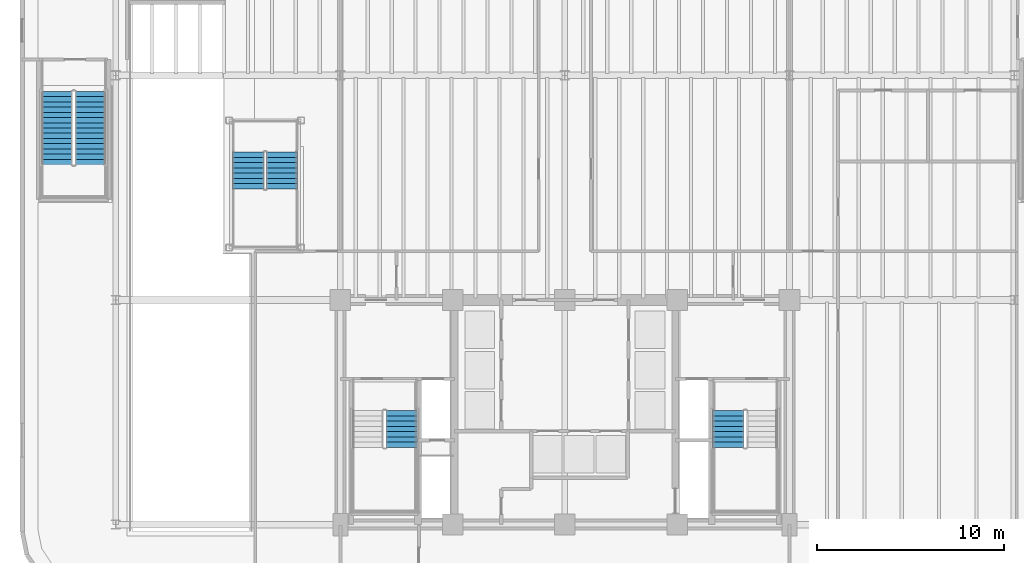
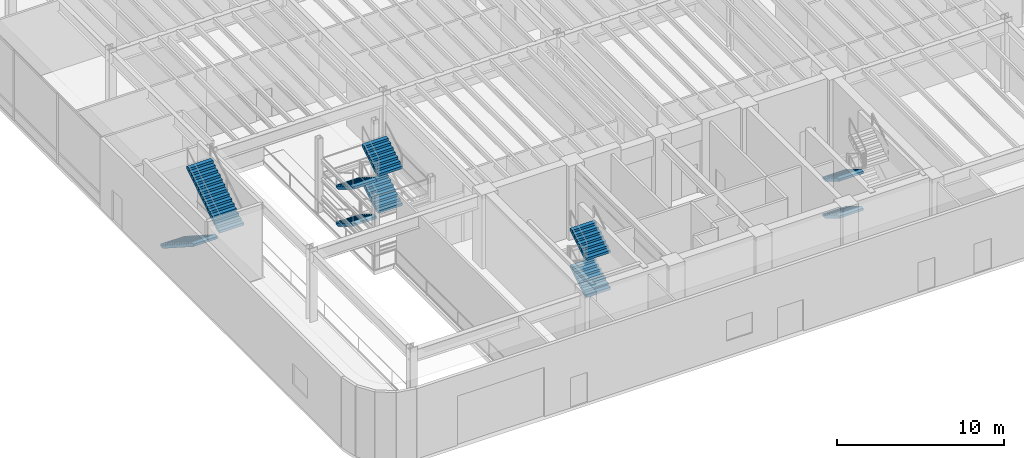
# One storey, part 11 of 17: 10 stair flights, 4 elements without a shape of their own.
"""IFC4 building model written with IfcOpenShell, lengths in metres."""

import ifcopenshell
import ifcopenshell.guid

model = None  # the IFC model being written
_history = None  # IfcOwnerHistory: only IFC2X3 demands one
_inside = {}  # id of a spatial element -> (the spatial element, [elements in it])
_under = {}  # id of a project, library or spatial element -> (it, [spatial elements below it])
_declared = {}  # id of a project -> (the project, [libraries it declares])
_typed = {}  # id of a type object -> (the type object, [elements of that type])
_made_of = {}  # id of a material, layer set ... -> (it, [elements and type objects made of it])


def new_model(schema):
    """Start an empty IFC model of exactly this schema.

    Asked for "IFC4X3", IfcOpenShell would pick the latest addendum, in which some entities
    have other attributes; the version numbers below select the first issue.
    IFC2X3 requires an IfcOwnerHistory on every rooted entity: one is made here for all.
    """
    global model, _history
    if schema == "IFC4X3":
        model = ifcopenshell.file(schema_version=(4, 3, 0, 0))
    else:
        model = ifcopenshell.file(schema=schema)
    _inside.clear()
    _under.clear()
    _declared.clear()
    _typed.clear()
    _made_of.clear()
    _history = None
    if model.schema == "IFC2X3":
        org = make("IfcOrganization", Name="unknown")
        user = make(
            "IfcPersonAndOrganization",
            ThePerson=make("IfcPerson", FamilyName="unknown"),
            TheOrganization=org,
        )
        app = make(
            "IfcApplication",
            ApplicationDeveloper=org,
            Version="unknown",
            ApplicationFullName="unknown",
            ApplicationIdentifier="unknown",
        )
        _history = make(
            "IfcOwnerHistory",
            OwningUser=user,
            OwningApplication=app,
            ChangeAction="ADDED",
            CreationDate=0,
        )
    return model


def make(cls, **values):
    """One entity of the class cls with the attributes given. An attribute that is None is left unset."""
    return model.create_entity(
        cls, **{name: value for name, value in values.items() if value is not None}
    )


def rooted(cls, **values):
    """An entity with a GlobalId (a new one), such as an element, a storey or a relation."""
    return make(cls, GlobalId=ifcopenshell.guid.new(), OwnerHistory=_history, **values)


def si_unit(unit_type, name, prefix=None):
    """IfcSIUnit, for example si_unit("LENGTHUNIT", "METRE", prefix="MILLI")."""
    return make("IfcSIUnit", UnitType=unit_type, Prefix=prefix, Name=name)


def assignment(units):
    """IfcUnitAssignment: the units of a project."""
    return None if units is None else make("IfcUnitAssignment", Units=units)


def point(xyz):
    """IfcCartesianPoint."""
    return None if xyz is None else make("IfcCartesianPoint", Coordinates=xyz)


def direction(xyz):
    """IfcDirection."""
    return None if xyz is None else make("IfcDirection", DirectionRatios=xyz)


def frame(location, z_axis=None, x_axis=None):
    """IfcAxis2Placement3D, a coordinate frame: its origin and axes. An axis left out is left unset."""
    return make(
        "IfcAxis2Placement3D",
        Location=point(location),
        Axis=direction(z_axis),
        RefDirection=direction(x_axis),
    )


def origin():
    """The frame at (0, 0, 0) with its axes left unset."""
    return frame((0.0, 0.0, 0.0))


def place(relative_to, where):
    """IfcLocalPlacement: puts the frame where relative to a parent placement (None: the world)."""
    return make(
        "IfcLocalPlacement", PlacementRelTo=relative_to, RelativePlacement=where
    )


def context(
    kind, dimensions, precision=None, world=None, true_north=None, identifier=None
):
    """IfcGeometricRepresentationContext, for example the 3D "Model" context."""
    return make(
        "IfcGeometricRepresentationContext",
        ContextIdentifier=identifier,
        ContextType=kind,
        CoordinateSpaceDimension=dimensions,
        Precision=precision,
        WorldCoordinateSystem=world,
        TrueNorth=true_north,
    )


def subcontext(parent, identifier, kind, view, scale=None):
    """IfcGeometricRepresentationSubContext, for example "Body" below "Model"."""
    return make(
        "IfcGeometricRepresentationSubContext",
        ContextIdentifier=identifier,
        ContextType=kind,
        ParentContext=parent,
        TargetScale=scale,
        TargetView=view,
    )


def project(units=None, contexts=None):
    """IfcProject with its units and contexts."""
    return rooted(
        "IfcProject",
        Name="project",
        RepresentationContexts=contexts,
        UnitsInContext=assignment(units),
    )


def spatial(cls, under=None, at=None, **own):
    """A site, building, storey or space (cls), placed at a placement, below another one or the project."""
    s = rooted(cls, ObjectPlacement=at, **own)
    if under is not None:
        _under.setdefault(under.id(), (under, []))[1].append(s)
    return s


def polyline(points):
    """IfcPolyline through the points."""
    return make("IfcPolyline", Points=[point(p) for p in points])


def outline(outer, holes=None, kind="AREA"):
    """IfcArbitraryClosedProfileDef: a profile drawn as a closed curve; with holes, ...WithVoids."""
    if holes is None:
        return make("IfcArbitraryClosedProfileDef", ProfileType=kind, OuterCurve=outer)
    return make(
        "IfcArbitraryProfileDefWithVoids",
        ProfileType=kind,
        OuterCurve=outer,
        InnerCurves=holes,
    )


def extrude(swept, where, along, depth):
    """IfcExtrudedAreaSolid: the profile swept, set in the frame where, extruded along a direction by depth."""
    return make(
        "IfcExtrudedAreaSolid",
        SweptArea=swept,
        Position=where,
        ExtrudedDirection=direction(along),
        Depth=depth,
    )


def shape(context_of_items, identifier, shape_type, items):
    """IfcShapeRepresentation: the items that make up one representation, for example the "Body"."""
    return make(
        "IfcShapeRepresentation",
        ContextOfItems=context_of_items,
        RepresentationIdentifier=identifier,
        RepresentationType=shape_type,
        Items=items,
    )


def material(Name=None, Category=None):
    """IfcMaterial."""
    return make("IfcMaterial", Name=Name, Category=Category)


def made_of(thing, what):
    """Note that an element or type object is made of a material, layer set ...; save() writes the relation."""
    if what is not None:
        _made_of.setdefault(what.id(), (what, []))[1].append(thing)
    return thing


def type_object(cls, material=None, **own):
    """A type object (cls), such as IfcWallType, which elements share."""
    return made_of(rooted(cls, **own), material)


def element(
    cls,
    number,
    at=None,
    inside=None,
    cuts=None,
    type_object=None,
    material=None,
    context=None,
    identifier="Body",
    shape_type=None,
    held_by="IfcProductDefinitionShape",
    body=None,
    shapes=None,
    **own,
):
    """One element of the class cls, such as IfcWall. Its Tag is "e" and its number.

    at: its placement. inside: the storey or other place that contains it. cuts: it is an
    opening in that element (IfcRelVoidsElement). A single representation is given by context,
    identifier, shape_type and body (its items); several are given by shapes. held_by: the class
    of the entity that holds the representations. save() writes the other relations.
    """
    e = rooted(cls, Tag="e%d" % number, ObjectPlacement=at, **own)
    if body is not None:
        shapes = [shape(context, identifier, shape_type, body)]
    if shapes is not None:
        e.Representation = make(held_by, Representations=shapes)
    if inside is not None:
        _inside.setdefault(inside.id(), (inside, []))[1].append(e)
    if cuts is not None:
        rooted(
            "IfcRelVoidsElement", RelatingBuildingElement=cuts, RelatedOpeningElement=e
        )
    if type_object is not None:
        _typed.setdefault(type_object.id(), (type_object, []))[1].append(e)
    return made_of(e, material)


def aggregate(whole, parts):
    """IfcRelAggregates: a whole, such as a stair, and the parts it consists of."""
    return rooted("IfcRelAggregates", RelatingObject=whole, RelatedObjects=parts)


def save(model, path):
    """Write the relations noted so far, then the file.

    IfcRelAggregates (storeys below a building ...), IfcRelContainedInSpatialStructure (elements
    in a storey), IfcRelDefinesByType, IfcRelAssociatesMaterial and IfcRelDeclares: one each for
    every whole, place, type object, material and project.
    """
    for whole, parts in _under.values():
        aggregate(whole, parts)
    for where, things in _inside.values():
        rooted(
            "IfcRelContainedInSpatialStructure",
            RelatedElements=things,
            RelatingStructure=where,
        )
    for kind, things in _typed.values():
        rooted("IfcRelDefinesByType", RelatedObjects=things, RelatingType=kind)
    for what, things in _made_of.values():
        rooted("IfcRelAssociatesMaterial", RelatedObjects=things, RelatingMaterial=what)
    for by, libraries in _declared.values():
        rooted("IfcRelDeclares", RelatingContext=by, RelatedDefinitions=libraries)
    model.write(path)


model = new_model("IFC4")

# Units and contexts
model_context = context("Model", 3, precision=1e-05, world=origin(), true_north=direction((0.0, 1.0)))
body_context = subcontext(model_context, "Body", "Model", "MODEL_VIEW")
ifc_project = project(units=[si_unit("LENGTHUNIT", "METRE"), si_unit("AREAUNIT", "SQUARE_METRE"), si_unit("VOLUMEUNIT", "CUBIC_METRE"), si_unit("PLANEANGLEUNIT", "RADIAN"), si_unit("MASSUNIT", "GRAM", prefix="KILO")], contexts=[model_context])

# Site, building, storey
site_placement = place(None, origin())
site = spatial("IfcSite", under=ifc_project, at=site_placement, CompositionType="ELEMENT")
building_placement = place(site_placement, origin())
building = spatial("IfcBuilding", under=site, at=building_placement, Name="Brelvock Crest Care Tower", CompositionType="ELEMENT")
storey_placement = place(building_placement, origin())
storey = spatial("IfcBuildingStorey", under=building, at=storey_placement, Name="L00", CompositionType="ELEMENT", Elevation=0.0)

# Stair, stair flights
ifc_material = material(Name="Concrete N40 (40 MPa)", Category="concrete")
stair_type_1 = type_object("IfcStairType", Name="ST-CORE1", PredefinedType="HALF_TURN_STAIR", material=ifc_material)
stair_1_placement = place(storey_placement, origin())
stair_1 = element("IfcStair", 1, at=stair_1_placement, inside=storey, type_object=stair_type_1, Name="L00 Fire-Isolated Core Stair ST-1", PredefinedType="HALF_TURN_STAIR")
stair_flight_type_1 = type_object("IfcStairFlightType", Name="STF-1", PredefinedType="STRAIGHT", material=ifc_material)
stair_flight_1_placement = place(storey_placement, frame((27.27001953125, 10.1201171875, 1.35009765625), z_axis=(0.0, 0.0, 1.0), x_axis=(0.0, 1.0, 0.0)))
stair_flight_1 = element("IfcStairFlight", 2, at=stair_flight_1_placement, type_object=stair_flight_type_1, Name="ST-1 flight 2", NumberOfRisers=8, NumberOfTreads=7, PredefinedType="STRAIGHT", RiserHeight=0.16875, TreadLength=0.28, context=body_context, shape_type="SweptSolid", body=[
    extrude(outline(polyline([(-0.00390625, -0.014892578125), (-0.00390625, -0.008544921875), (-0.00390625, -0.001953125), (-0.00390625, 0.004638671875), (-0.00390625, 0.01123046875), (-0.00390625, 0.017822265625), (-0.00390625, 0.0244140625), (-0.00390625, 0.031005859375), (-0.00390625, 0.03759765625), (-0.00390625, 0.0439453125), (-0.00390625, 0.050537109375), (-0.00390625, 0.05712890625), (-0.00390625, 0.063720703125), (-0.00390625, 0.0703125), (-0.00390625, 0.076904296875), (-0.00390625, 0.08349609375), (-0.00390625, 0.090087890625), (-0.00390625, 0.0966796875), (-0.00390625, 0.10302734375), (-0.00390625, 0.109619140625), (-0.00390625, 0.1162109375), (-0.00390625, 0.122802734375), (-0.00390625, 0.12939453125), (-0.00390625, 0.135986328125), (-0.00390625, 0.142578125), (-0.00390625, 0.149169921875), (-0.00390625, 0.155517578125), (-0.00390625, 0.162109375), (-0.00390625, 0.168701171875), (0.0, 0.168701171875), (0.280029296875, 0.168701171875), (0.280029296875, 0.33740234375), (0.56005859375, 0.33740234375), (0.56005859375, 0.50634765625), (0.840087890625, 0.50634765625), (0.840087890625, 0.675048828125), (1.1201171875, 0.675048828125), (1.1201171875, 0.84375), (1.39990234375, 0.84375), (1.39990234375, 1.012451171875), (1.679931640625, 1.012451171875), (1.679931640625, 1.18115234375), (1.9599609375, 1.18115234375), (1.964111328125, 1.18115234375), (1.9638671875, 1.18017578125), (1.964111328125, 1.17919921875), (1.9638671875, 1.17822265625), (1.964111328125, 1.177001953125), (1.9638671875, 1.176025390625), (1.964111328125, 1.175048828125), (1.9638671875, 1.173828125), (1.964111328125, 1.1728515625), (1.9638671875, 1.171875), (1.964111328125, 1.1708984375), (1.9638671875, 1.169677734375), (1.964111328125, 1.168701171875), (1.9638671875, 1.167724609375), (1.964111328125, 1.166748046875), (1.9638671875, 1.16552734375), (1.964111328125, 1.16455078125), (1.9638671875, 1.16357421875), (1.964111328125, 1.162353515625), (1.9638671875, 1.161376953125), (1.964111328125, 1.160400390625), (1.9638671875, 1.159423828125), (1.964111328125, 1.158203125), (1.9638671875, 1.1572265625), (1.964111328125, 1.15625), (1.9638671875, 1.155029296875), (1.964111328125, 1.154052734375), (1.9638671875, 1.153076171875), (1.964111328125, 1.152099609375), (1.9599609375, 1.00634765625), (0.29052734375, 0.0), (0.0, 0.0), (0.0, -0.014892578125), (-0.00390625, -0.014892578125)])), frame((0.0, 0.83984375, 0.0), z_axis=(0.0, -1.0, 0.0), x_axis=(1.0, 0.0, 0.0)), (0.0, 0.0, 1.0), 1.679931640625),
])
stair_flight_2_placement = place(storey_placement, frame((27.27001953125, 10.1201171875, 4.050048828125), z_axis=(0.0, 0.0, 1.0), x_axis=(0.0, 1.0, 0.0)))
stair_flight_2 = element("IfcStairFlight", 3, at=stair_flight_2_placement, type_object=stair_flight_type_1, Name="ST-1 flight 4", NumberOfRisers=8, NumberOfTreads=7, PredefinedType="STRAIGHT", RiserHeight=0.16875, TreadLength=0.28, context=body_context, shape_type="SweptSolid", body=[
    extrude(outline(polyline([(-0.00390625, -0.014892578125), (-0.00390625, -0.008544921875), (-0.00390625, -0.001953125), (-0.00390625, 0.004638671875), (-0.00390625, 0.01123046875), (-0.00390625, 0.017822265625), (-0.00390625, 0.0244140625), (-0.00390625, 0.031005859375), (-0.00390625, 0.03759765625), (-0.00390625, 0.0439453125), (-0.00390625, 0.050537109375), (-0.00390625, 0.05712890625), (-0.00390625, 0.063720703125), (-0.00390625, 0.0703125), (-0.00390625, 0.076904296875), (-0.00390625, 0.08349609375), (-0.00390625, 0.090087890625), (-0.00390625, 0.0966796875), (-0.00390625, 0.10302734375), (-0.00390625, 0.109619140625), (-0.00390625, 0.1162109375), (-0.00390625, 0.122802734375), (-0.00390625, 0.12939453125), (-0.00390625, 0.135986328125), (-0.00390625, 0.142578125), (-0.00390625, 0.149169921875), (-0.00390625, 0.155517578125), (-0.00390625, 0.162109375), (-0.00390625, 0.168701171875), (0.0, 0.168701171875), (0.280029296875, 0.168701171875), (0.280029296875, 0.33740234375), (0.56005859375, 0.33740234375), (0.56005859375, 0.50634765625), (0.840087890625, 0.50634765625), (0.840087890625, 0.675048828125), (1.1201171875, 0.675048828125), (1.1201171875, 0.84375), (1.39990234375, 0.84375), (1.39990234375, 1.012451171875), (1.679931640625, 1.012451171875), (1.679931640625, 1.18115234375), (1.9599609375, 1.18115234375), (1.964111328125, 1.18115234375), (1.9638671875, 1.18017578125), (1.964111328125, 1.17919921875), (1.9638671875, 1.17822265625), (1.964111328125, 1.177001953125), (1.9638671875, 1.176025390625), (1.964111328125, 1.175048828125), (1.9638671875, 1.173828125), (1.964111328125, 1.1728515625), (1.9638671875, 1.171875), (1.964111328125, 1.1708984375), (1.9638671875, 1.169677734375), (1.964111328125, 1.168701171875), (1.9638671875, 1.167724609375), (1.964111328125, 1.166748046875), (1.9638671875, 1.16552734375), (1.964111328125, 1.16455078125), (1.9638671875, 1.16357421875), (1.964111328125, 1.162353515625), (1.9638671875, 1.161376953125), (1.964111328125, 1.160400390625), (1.9638671875, 1.159423828125), (1.964111328125, 1.158203125), (1.9638671875, 1.1572265625), (1.964111328125, 1.15625), (1.9638671875, 1.155029296875), (1.964111328125, 1.154052734375), (1.9638671875, 1.153076171875), (1.964111328125, 1.152099609375), (1.9599609375, 1.00634765625), (0.29052734375, 0.0), (0.0, 0.0), (0.0, -0.014892578125), (-0.00390625, -0.014892578125)])), frame((0.0, 0.83984375, 0.0), z_axis=(0.0, -1.0, 0.0), x_axis=(1.0, 0.0, 0.0)), (0.0, 0.0, 1.0), 1.679931640625),
])
aggregate(stair_1, [stair_flight_1, stair_flight_2])

stair_2_placement = place(storey_placement, origin())
stair_2 = element("IfcStair", 4, at=stair_2_placement, inside=storey, type_object=stair_type_1, Name="L00 Fire-Isolated Core Stair ST-2", PredefinedType="HALF_TURN_STAIR")
stair_flight_3_placement = place(storey_placement, frame((44.72998046875, 12.080078125, 0.0), z_axis=(0.0, 0.0, 1.0), x_axis=(0.0, -1.0, 0.0)))
stair_flight_3 = element("IfcStairFlight", 5, at=stair_flight_3_placement, type_object=stair_flight_type_1, Name="ST-2 flight 1", NumberOfRisers=8, NumberOfTreads=7, PredefinedType="STRAIGHT", RiserHeight=0.16875, TreadLength=0.28, context=body_context, shape_type="SweptSolid", body=[
    extrude(outline(polyline([(-0.00390625, -0.014892578125), (-0.00390625, -0.008544921875), (-0.00390625, -0.001953125), (-0.00390625, 0.004638671875), (-0.00390625, 0.01123046875), (-0.00390625, 0.017822265625), (-0.00390625, 0.0244140625), (-0.00390625, 0.031005859375), (-0.00390625, 0.03759765625), (-0.00390625, 0.0439453125), (-0.00390625, 0.050537109375), (-0.00390625, 0.05712890625), (-0.00390625, 0.063720703125), (-0.00390625, 0.0703125), (-0.00390625, 0.076904296875), (-0.00390625, 0.08349609375), (-0.00390625, 0.090087890625), (-0.00390625, 0.0966796875), (-0.00390625, 0.10302734375), (-0.00390625, 0.109619140625), (-0.00390625, 0.1162109375), (-0.00390625, 0.122802734375), (-0.00390625, 0.12939453125), (-0.00390625, 0.135986328125), (-0.00390625, 0.142578125), (-0.00390625, 0.149169921875), (-0.00390625, 0.155517578125), (-0.00390625, 0.162109375), (-0.00390625, 0.168701171875), (0.0, 0.168701171875), (0.280029296875, 0.168701171875), (0.280029296875, 0.33740234375), (0.56005859375, 0.33740234375), (0.56005859375, 0.50634765625), (0.840087890625, 0.50634765625), (0.840087890625, 0.675048828125), (1.1201171875, 0.675048828125), (1.1201171875, 0.84375), (1.39990234375, 0.84375), (1.39990234375, 1.012451171875), (1.679931640625, 1.012451171875), (1.679931640625, 1.18115234375), (1.9599609375, 1.18115234375), (1.964111328125, 1.18115234375), (1.9638671875, 1.18017578125), (1.964111328125, 1.17919921875), (1.9638671875, 1.17822265625), (1.964111328125, 1.177001953125), (1.9638671875, 1.176025390625), (1.964111328125, 1.175048828125), (1.9638671875, 1.173828125), (1.964111328125, 1.1728515625), (1.9638671875, 1.171875), (1.964111328125, 1.1708984375), (1.9638671875, 1.169677734375), (1.964111328125, 1.168701171875), (1.9638671875, 1.167724609375), (1.964111328125, 1.166748046875), (1.9638671875, 1.16552734375), (1.964111328125, 1.16455078125), (1.9638671875, 1.16357421875), (1.964111328125, 1.162353515625), (1.9638671875, 1.161376953125), (1.964111328125, 1.160400390625), (1.9638671875, 1.159423828125), (1.964111328125, 1.158203125), (1.9638671875, 1.1572265625), (1.964111328125, 1.15625), (1.9638671875, 1.155029296875), (1.964111328125, 1.154052734375), (1.9638671875, 1.153076171875), (1.964111328125, 1.152099609375), (1.9599609375, 1.00634765625), (0.29052734375, 0.0), (0.0, 0.0), (0.0, -0.014892578125), (-0.00390625, -0.014892578125)])), frame((0.0, 0.83984375, 0.0), z_axis=(0.0, -1.0, 0.0), x_axis=(1.0, 0.0, 0.0)), (0.0, 0.0, 1.0), 1.679931640625),
])
stair_flight_4_placement = place(storey_placement, frame((44.72998046875, 12.080078125, 2.699951171875), z_axis=(0.0, 0.0, 1.0), x_axis=(0.0, -1.0, 0.0)))
stair_flight_4 = element("IfcStairFlight", 6, at=stair_flight_4_placement, type_object=stair_flight_type_1, Name="ST-2 flight 3", NumberOfRisers=8, NumberOfTreads=7, PredefinedType="STRAIGHT", RiserHeight=0.16875, TreadLength=0.28, context=body_context, shape_type="SweptSolid", body=[
    extrude(outline(polyline([(-0.00390625, -0.014892578125), (-0.00390625, -0.008544921875), (-0.00390625, -0.001953125), (-0.00390625, 0.004638671875), (-0.00390625, 0.01123046875), (-0.00390625, 0.017822265625), (-0.00390625, 0.0244140625), (-0.00390625, 0.031005859375), (-0.00390625, 0.03759765625), (-0.00390625, 0.0439453125), (-0.00390625, 0.050537109375), (-0.00390625, 0.05712890625), (-0.00390625, 0.063720703125), (-0.00390625, 0.0703125), (-0.00390625, 0.076904296875), (-0.00390625, 0.08349609375), (-0.00390625, 0.090087890625), (-0.00390625, 0.0966796875), (-0.00390625, 0.10302734375), (-0.00390625, 0.109619140625), (-0.00390625, 0.1162109375), (-0.00390625, 0.122802734375), (-0.00390625, 0.12939453125), (-0.00390625, 0.135986328125), (-0.00390625, 0.142578125), (-0.00390625, 0.149169921875), (-0.00390625, 0.155517578125), (-0.00390625, 0.162109375), (-0.00390625, 0.168701171875), (0.0, 0.168701171875), (0.280029296875, 0.168701171875), (0.280029296875, 0.33740234375), (0.56005859375, 0.33740234375), (0.56005859375, 0.50634765625), (0.840087890625, 0.50634765625), (0.840087890625, 0.675048828125), (1.1201171875, 0.675048828125), (1.1201171875, 0.84375), (1.39990234375, 0.84375), (1.39990234375, 1.012451171875), (1.679931640625, 1.012451171875), (1.679931640625, 1.18115234375), (1.9599609375, 1.18115234375), (1.964111328125, 1.18115234375), (1.9638671875, 1.18017578125), (1.964111328125, 1.17919921875), (1.9638671875, 1.17822265625), (1.964111328125, 1.177001953125), (1.9638671875, 1.176025390625), (1.964111328125, 1.175048828125), (1.9638671875, 1.173828125), (1.964111328125, 1.1728515625), (1.9638671875, 1.171875), (1.964111328125, 1.1708984375), (1.9638671875, 1.169677734375), (1.964111328125, 1.168701171875), (1.9638671875, 1.167724609375), (1.964111328125, 1.166748046875), (1.9638671875, 1.16552734375), (1.964111328125, 1.16455078125), (1.9638671875, 1.16357421875), (1.964111328125, 1.162353515625), (1.9638671875, 1.161376953125), (1.964111328125, 1.160400390625), (1.9638671875, 1.159423828125), (1.964111328125, 1.158203125), (1.9638671875, 1.1572265625), (1.964111328125, 1.15625), (1.9638671875, 1.155029296875), (1.964111328125, 1.154052734375), (1.9638671875, 1.153076171875), (1.964111328125, 1.152099609375), (1.9599609375, 1.00634765625), (0.29052734375, 0.0), (0.0, 0.0), (0.0, -0.014892578125), (-0.00390625, -0.014892578125)])), frame((0.0, 0.83984375, 0.0), z_axis=(0.0, -1.0, 0.0), x_axis=(1.0, 0.0, 0.0)), (0.0, 0.0, 1.0), 1.679931640625),
])
aggregate(stair_2, [stair_flight_3, stair_flight_4])

stair_type_2 = type_object("IfcStairType", Name="ST-FEA1", PredefinedType="HALF_TURN_STAIR", material=ifc_material)
stair_3_placement = place(storey_placement, origin())
stair_3 = element("IfcStair", 7, at=stair_3_placement, inside=storey, type_object=stair_type_2, Name="L00 Clinic Atrium Feature Stair ST-5", PredefinedType="HALF_TURN_STAIR")
stair_flight_5_placement = place(storey_placement, frame((19.080078125, 25.89990234375, 0.0), z_axis=(0.0, 0.0, 1.0), x_axis=(0.0, -1.0, 0.0)))
stair_flight_5 = element("IfcStairFlight", 8, at=stair_flight_5_placement, type_object=stair_flight_type_1, Name="ST-5 flight 1", NumberOfRisers=8, NumberOfTreads=7, PredefinedType="STRAIGHT", RiserHeight=0.16875, TreadLength=0.28, context=body_context, shape_type="SweptSolid", body=[
    extrude(outline(polyline([(-0.00390625, -0.014892578125), (-0.00390625, -0.008544921875), (-0.00390625, -0.001953125), (-0.00390625, 0.004638671875), (-0.00390625, 0.01123046875), (-0.00390625, 0.017822265625), (-0.00390625, 0.0244140625), (-0.00390625, 0.031005859375), (-0.00390625, 0.03759765625), (-0.00390625, 0.0439453125), (-0.00390625, 0.050537109375), (-0.00390625, 0.05712890625), (-0.00390625, 0.063720703125), (-0.00390625, 0.0703125), (-0.00390625, 0.076904296875), (-0.00390625, 0.08349609375), (-0.00390625, 0.090087890625), (-0.00390625, 0.0966796875), (-0.00390625, 0.10302734375), (-0.00390625, 0.109619140625), (-0.00390625, 0.1162109375), (-0.00390625, 0.122802734375), (-0.00390625, 0.12939453125), (-0.00390625, 0.135986328125), (-0.00390625, 0.142578125), (-0.00390625, 0.149169921875), (-0.00390625, 0.155517578125), (-0.00390625, 0.162109375), (-0.00390625, 0.168701171875), (0.0, 0.168701171875), (0.280029296875, 0.168701171875), (0.280029296875, 0.33740234375), (0.56005859375, 0.33740234375), (0.56005859375, 0.50634765625), (0.840087890625, 0.50634765625), (0.840087890625, 0.675048828125), (1.1201171875, 0.675048828125), (1.1201171875, 0.84375), (1.39990234375, 0.84375), (1.39990234375, 1.012451171875), (1.679931640625, 1.012451171875), (1.679931640625, 1.18115234375), (1.9599609375, 1.18115234375), (1.964111328125, 1.18115234375), (1.9638671875, 1.18017578125), (1.964111328125, 1.17919921875), (1.9638671875, 1.17822265625), (1.964111328125, 1.177001953125), (1.9638671875, 1.176025390625), (1.964111328125, 1.175048828125), (1.9638671875, 1.173828125), (1.964111328125, 1.1728515625), (1.9638671875, 1.171875), (1.964111328125, 1.1708984375), (1.9638671875, 1.169677734375), (1.964111328125, 1.168701171875), (1.9638671875, 1.167724609375), (1.964111328125, 1.166748046875), (1.9638671875, 1.16552734375), (1.964111328125, 1.16455078125), (1.9638671875, 1.16357421875), (1.964111328125, 1.162353515625), (1.9638671875, 1.161376953125), (1.964111328125, 1.160400390625), (1.9638671875, 1.159423828125), (1.964111328125, 1.158203125), (1.9638671875, 1.1572265625), (1.964111328125, 1.15625), (1.9638671875, 1.155029296875), (1.964111328125, 1.154052734375), (1.9638671875, 1.153076171875), (1.964111328125, 1.152099609375), (1.9599609375, 1.00634765625), (0.29052734375, 0.0), (0.0, 0.0), (0.0, -0.014892578125), (-0.00390625, -0.014892578125)])), frame((0.0, 0.83984375, 0.0), z_axis=(0.0, -1.0, 0.0), x_axis=(1.0, 0.0, 0.0)), (0.0, 0.0, 1.0), 1.679931640625),
])
stair_flight_6_placement = place(storey_placement, frame((20.8798828125, 23.93994140625, 1.35009765625), z_axis=(0.0, 0.0, 1.0), x_axis=(0.0, 1.0, 0.0)))
stair_flight_6 = element("IfcStairFlight", 9, at=stair_flight_6_placement, type_object=stair_flight_type_1, Name="ST-5 flight 2", NumberOfRisers=8, NumberOfTreads=7, PredefinedType="STRAIGHT", RiserHeight=0.16875, TreadLength=0.28, context=body_context, shape_type="SweptSolid", body=[
    extrude(outline(polyline([(-0.00390625, -0.014892578125), (-0.00390625, -0.008544921875), (-0.00390625, -0.001953125), (-0.00390625, 0.004638671875), (-0.00390625, 0.01123046875), (-0.00390625, 0.017822265625), (-0.00390625, 0.0244140625), (-0.00390625, 0.031005859375), (-0.00390625, 0.03759765625), (-0.00390625, 0.0439453125), (-0.00390625, 0.050537109375), (-0.00390625, 0.05712890625), (-0.00390625, 0.063720703125), (-0.00390625, 0.0703125), (-0.00390625, 0.076904296875), (-0.00390625, 0.08349609375), (-0.00390625, 0.090087890625), (-0.00390625, 0.0966796875), (-0.00390625, 0.10302734375), (-0.00390625, 0.109619140625), (-0.00390625, 0.1162109375), (-0.00390625, 0.122802734375), (-0.00390625, 0.12939453125), (-0.00390625, 0.135986328125), (-0.00390625, 0.142578125), (-0.00390625, 0.149169921875), (-0.00390625, 0.155517578125), (-0.00390625, 0.162109375), (-0.00390625, 0.168701171875), (0.0, 0.168701171875), (0.280029296875, 0.168701171875), (0.280029296875, 0.33740234375), (0.56005859375, 0.33740234375), (0.56005859375, 0.50634765625), (0.840087890625, 0.50634765625), (0.840087890625, 0.675048828125), (1.1201171875, 0.675048828125), (1.1201171875, 0.84375), (1.39990234375, 0.84375), (1.39990234375, 1.012451171875), (1.679931640625, 1.012451171875), (1.679931640625, 1.18115234375), (1.9599609375, 1.18115234375), (1.964111328125, 1.18115234375), (1.9638671875, 1.18017578125), (1.964111328125, 1.17919921875), (1.9638671875, 1.17822265625), (1.964111328125, 1.177001953125), (1.9638671875, 1.176025390625), (1.964111328125, 1.175048828125), (1.9638671875, 1.173828125), (1.964111328125, 1.1728515625), (1.9638671875, 1.171875), (1.964111328125, 1.1708984375), (1.9638671875, 1.169677734375), (1.964111328125, 1.168701171875), (1.9638671875, 1.167724609375), (1.964111328125, 1.166748046875), (1.9638671875, 1.16552734375), (1.964111328125, 1.16455078125), (1.9638671875, 1.16357421875), (1.964111328125, 1.162353515625), (1.9638671875, 1.161376953125), (1.964111328125, 1.160400390625), (1.9638671875, 1.159423828125), (1.964111328125, 1.158203125), (1.9638671875, 1.1572265625), (1.964111328125, 1.15625), (1.9638671875, 1.155029296875), (1.964111328125, 1.154052734375), (1.9638671875, 1.153076171875), (1.964111328125, 1.152099609375), (1.9599609375, 1.00634765625), (0.29052734375, 0.0), (0.0, 0.0), (0.0, -0.014892578125), (-0.00390625, -0.014892578125)])), frame((0.0, 0.83984375, 0.0), z_axis=(0.0, -1.0, 0.0), x_axis=(1.0, 0.0, 0.0)), (0.0, 0.0, 1.0), 1.679931640625),
])
stair_flight_7_placement = place(storey_placement, frame((19.080078125, 25.89990234375, 2.699951171875), z_axis=(0.0, 0.0, 1.0), x_axis=(0.0, -1.0, 0.0)))
stair_flight_7 = element("IfcStairFlight", 10, at=stair_flight_7_placement, type_object=stair_flight_type_1, Name="ST-5 flight 3", NumberOfRisers=8, NumberOfTreads=7, PredefinedType="STRAIGHT", RiserHeight=0.16875, TreadLength=0.28, context=body_context, shape_type="SweptSolid", body=[
    extrude(outline(polyline([(-0.00390625, -0.014892578125), (-0.00390625, -0.008544921875), (-0.00390625, -0.001953125), (-0.00390625, 0.004638671875), (-0.00390625, 0.01123046875), (-0.00390625, 0.017822265625), (-0.00390625, 0.0244140625), (-0.00390625, 0.031005859375), (-0.00390625, 0.03759765625), (-0.00390625, 0.0439453125), (-0.00390625, 0.050537109375), (-0.00390625, 0.05712890625), (-0.00390625, 0.063720703125), (-0.00390625, 0.0703125), (-0.00390625, 0.076904296875), (-0.00390625, 0.08349609375), (-0.00390625, 0.090087890625), (-0.00390625, 0.0966796875), (-0.00390625, 0.10302734375), (-0.00390625, 0.109619140625), (-0.00390625, 0.1162109375), (-0.00390625, 0.122802734375), (-0.00390625, 0.12939453125), (-0.00390625, 0.135986328125), (-0.00390625, 0.142578125), (-0.00390625, 0.149169921875), (-0.00390625, 0.155517578125), (-0.00390625, 0.162109375), (-0.00390625, 0.168701171875), (0.0, 0.168701171875), (0.280029296875, 0.168701171875), (0.280029296875, 0.33740234375), (0.56005859375, 0.33740234375), (0.56005859375, 0.50634765625), (0.840087890625, 0.50634765625), (0.840087890625, 0.675048828125), (1.1201171875, 0.675048828125), (1.1201171875, 0.84375), (1.39990234375, 0.84375), (1.39990234375, 1.012451171875), (1.679931640625, 1.012451171875), (1.679931640625, 1.18115234375), (1.9599609375, 1.18115234375), (1.964111328125, 1.18115234375), (1.9638671875, 1.18017578125), (1.964111328125, 1.17919921875), (1.9638671875, 1.17822265625), (1.964111328125, 1.177001953125), (1.9638671875, 1.176025390625), (1.964111328125, 1.175048828125), (1.9638671875, 1.173828125), (1.964111328125, 1.1728515625), (1.9638671875, 1.171875), (1.964111328125, 1.1708984375), (1.9638671875, 1.169677734375), (1.964111328125, 1.168701171875), (1.9638671875, 1.167724609375), (1.964111328125, 1.166748046875), (1.9638671875, 1.16552734375), (1.964111328125, 1.16455078125), (1.9638671875, 1.16357421875), (1.964111328125, 1.162353515625), (1.9638671875, 1.161376953125), (1.964111328125, 1.160400390625), (1.9638671875, 1.159423828125), (1.964111328125, 1.158203125), (1.9638671875, 1.1572265625), (1.964111328125, 1.15625), (1.9638671875, 1.155029296875), (1.964111328125, 1.154052734375), (1.9638671875, 1.153076171875), (1.964111328125, 1.152099609375), (1.9599609375, 1.00634765625), (0.29052734375, 0.0), (0.0, 0.0), (0.0, -0.014892578125), (-0.00390625, -0.014892578125)])), frame((0.0, 0.83984375, 0.0), z_axis=(0.0, -1.0, 0.0), x_axis=(1.0, 0.0, 0.0)), (0.0, 0.0, 1.0), 1.679931640625),
])
stair_flight_8_placement = place(storey_placement, frame((20.8798828125, 23.93994140625, 4.050048828125), z_axis=(0.0, 0.0, 1.0), x_axis=(0.0, 1.0, 0.0)))
stair_flight_8 = element("IfcStairFlight", 11, at=stair_flight_8_placement, type_object=stair_flight_type_1, Name="ST-5 flight 4", NumberOfRisers=8, NumberOfTreads=7, PredefinedType="STRAIGHT", RiserHeight=0.16875, TreadLength=0.28, context=body_context, shape_type="SweptSolid", body=[
    extrude(outline(polyline([(-0.00390625, -0.014892578125), (-0.00390625, -0.008544921875), (-0.00390625, -0.001953125), (-0.00390625, 0.004638671875), (-0.00390625, 0.01123046875), (-0.00390625, 0.017822265625), (-0.00390625, 0.0244140625), (-0.00390625, 0.031005859375), (-0.00390625, 0.03759765625), (-0.00390625, 0.0439453125), (-0.00390625, 0.050537109375), (-0.00390625, 0.05712890625), (-0.00390625, 0.063720703125), (-0.00390625, 0.0703125), (-0.00390625, 0.076904296875), (-0.00390625, 0.08349609375), (-0.00390625, 0.090087890625), (-0.00390625, 0.0966796875), (-0.00390625, 0.10302734375), (-0.00390625, 0.109619140625), (-0.00390625, 0.1162109375), (-0.00390625, 0.122802734375), (-0.00390625, 0.12939453125), (-0.00390625, 0.135986328125), (-0.00390625, 0.142578125), (-0.00390625, 0.149169921875), (-0.00390625, 0.155517578125), (-0.00390625, 0.162109375), (-0.00390625, 0.168701171875), (0.0, 0.168701171875), (0.280029296875, 0.168701171875), (0.280029296875, 0.33740234375), (0.56005859375, 0.33740234375), (0.56005859375, 0.50634765625), (0.840087890625, 0.50634765625), (0.840087890625, 0.675048828125), (1.1201171875, 0.675048828125), (1.1201171875, 0.84375), (1.39990234375, 0.84375), (1.39990234375, 1.012451171875), (1.679931640625, 1.012451171875), (1.679931640625, 1.18115234375), (1.9599609375, 1.18115234375), (1.964111328125, 1.18115234375), (1.9638671875, 1.18017578125), (1.964111328125, 1.17919921875), (1.9638671875, 1.17822265625), (1.964111328125, 1.177001953125), (1.9638671875, 1.176025390625), (1.964111328125, 1.175048828125), (1.9638671875, 1.173828125), (1.964111328125, 1.1728515625), (1.9638671875, 1.171875), (1.964111328125, 1.1708984375), (1.9638671875, 1.169677734375), (1.964111328125, 1.168701171875), (1.9638671875, 1.167724609375), (1.964111328125, 1.166748046875), (1.9638671875, 1.16552734375), (1.964111328125, 1.16455078125), (1.9638671875, 1.16357421875), (1.964111328125, 1.162353515625), (1.9638671875, 1.161376953125), (1.964111328125, 1.160400390625), (1.9638671875, 1.159423828125), (1.964111328125, 1.158203125), (1.9638671875, 1.1572265625), (1.964111328125, 1.15625), (1.9638671875, 1.155029296875), (1.964111328125, 1.154052734375), (1.9638671875, 1.153076171875), (1.964111328125, 1.152099609375), (1.9599609375, 1.00634765625), (0.29052734375, 0.0), (0.0, 0.0), (0.0, -0.014892578125), (-0.00390625, -0.014892578125)])), frame((0.0, 0.83984375, 0.0), z_axis=(0.0, -1.0, 0.0), x_axis=(1.0, 0.0, 0.0)), (0.0, 0.0, 1.0), 1.679931640625),
])
aggregate(stair_3, [stair_flight_5, stair_flight_6, stair_flight_7, stair_flight_8])

stair_type_3 = type_object("IfcStairType", Name="ST-POD1", PredefinedType="HALF_TURN_STAIR", material=ifc_material)
stair_4_placement = place(storey_placement, origin())
stair_4 = element("IfcStair", 12, at=stair_4_placement, inside=storey, type_object=stair_type_3, Name="L00 Podium West Fire Stair ST-3", PredefinedType="HALF_TURN_STAIR")
stair_flight_type_2 = type_object("IfcStairFlightType", Name="STF-2", PredefinedType="STRAIGHT", material=ifc_material)
stair_flight_9_placement = place(storey_placement, frame((8.85009765625, 29.14990234375, 0.0), z_axis=(0.0, 0.0, 1.0), x_axis=(0.0, -1.0, 0.0)))
stair_flight_9 = element("IfcStairFlight", 13, at=stair_flight_9_placement, type_object=stair_flight_type_2, Name="ST-3 flight 1", NumberOfRisers=15, NumberOfTreads=14, PredefinedType="STRAIGHT", RiserHeight=0.18, TreadLength=0.28, context=body_context, shape_type="SweptSolid", body=[
    extrude(outline(polyline([(-0.00390625, -0.014892578125), (-0.00390625, -0.008056640625), (-0.00390625, -0.0009765625), (-0.00390625, 0.005859375), (-0.00390625, 0.012939453125), (-0.00390625, 0.019775390625), (-0.00390625, 0.02685546875), (-0.00390625, 0.03369140625), (-0.00390625, 0.040771484375), (-0.00390625, 0.047607421875), (-0.00390625, 0.0546875), (-0.00390625, 0.0615234375), (-0.00390625, 0.068603515625), (-0.00390625, 0.075439453125), (-0.00390625, 0.08251953125), (-0.00390625, 0.08935546875), (-0.00390625, 0.096435546875), (-0.00390625, 0.103271484375), (-0.00390625, 0.1103515625), (-0.00390625, 0.117431640625), (-0.00390625, 0.124267578125), (-0.00390625, 0.13134765625), (-0.00390625, 0.13818359375), (-0.00390625, 0.145263671875), (-0.00390625, 0.152099609375), (-0.00390625, 0.1591796875), (-0.00390625, 0.166015625), (-0.00390625, 0.173095703125), (-0.00390625, 0.179931640625), (0.0, 0.179931640625), (0.280029296875, 0.179931640625), (0.280029296875, 0.360107421875), (0.56005859375, 0.360107421875), (0.56005859375, 0.5400390625), (0.840087890625, 0.5400390625), (0.840087890625, 0.719970703125), (1.1201171875, 0.719970703125), (1.1201171875, 0.89990234375), (1.39990234375, 0.89990234375), (1.39990234375, 1.080078125), (1.679931640625, 1.080078125), (1.679931640625, 1.260009765625), (1.9599609375, 1.260009765625), (1.9599609375, 1.43994140625), (2.239990234375, 1.43994140625), (2.239990234375, 1.6201171875), (2.52001953125, 1.6201171875), (2.52001953125, 1.800048828125), (2.800048828125, 1.800048828125), (2.800048828125, 1.97998046875), (3.080078125, 1.97998046875), (3.080078125, 2.159912109375), (3.360107421875, 2.159912109375), (3.360107421875, 2.340087890625), (3.639892578125, 2.340087890625), (3.639892578125, 2.52001953125), (3.919921875, 2.52001953125), (3.924072265625, 2.52001953125), (3.923828125, 2.519287109375), (3.924072265625, 2.518798828125), (3.923828125, 2.51806640625), (3.924072265625, 2.517333984375), (3.923828125, 2.516845703125), (3.924072265625, 2.51611328125), (3.923828125, 2.515380859375), (3.924072265625, 2.514892578125), (3.923828125, 2.51416015625), (3.924072265625, 2.513671875), (3.923828125, 2.512939453125), (3.924072265625, 2.51220703125), (3.923828125, 2.51171875), (3.924072265625, 2.510986328125), (3.923828125, 2.51025390625), (3.924072265625, 2.509765625), (3.923828125, 2.509033203125), (3.924072265625, 2.508544921875), (3.923828125, 2.5078125), (3.924072265625, 2.507080078125), (3.923828125, 2.506591796875), (3.924072265625, 2.505859375), (3.923828125, 2.505126953125), (3.924072265625, 2.504638671875), (3.923828125, 2.50390625), (3.924072265625, 2.503173828125), (3.923828125, 2.502685546875), (3.924072265625, 2.501953125), (3.919921875, 2.341796875), (0.277099609375, 0.0), (0.0, 0.0), (0.0, -0.014892578125), (-0.00390625, -0.014892578125)])), frame((0.0, 0.83984375, 0.0), z_axis=(0.0, -1.0, 0.0), x_axis=(1.0, 0.0, 0.0)), (0.0, 0.0, 1.0), 1.679931640625),
])
stair_flight_10_placement = place(storey_placement, frame((10.64990234375, 25.22998046875, 2.699951171875), z_axis=(0.0, 0.0, 1.0), x_axis=(0.0, 1.0, 0.0)))
stair_flight_10 = element("IfcStairFlight", 14, at=stair_flight_10_placement, type_object=stair_flight_type_2, Name="ST-3 flight 2", NumberOfRisers=15, NumberOfTreads=14, PredefinedType="STRAIGHT", RiserHeight=0.18, TreadLength=0.28, context=body_context, shape_type="SweptSolid", body=[
    extrude(outline(polyline([(-0.00390625, -0.014892578125), (-0.00390625, -0.008056640625), (-0.00390625, -0.0009765625), (-0.00390625, 0.005859375), (-0.00390625, 0.012939453125), (-0.00390625, 0.019775390625), (-0.00390625, 0.02685546875), (-0.00390625, 0.03369140625), (-0.00390625, 0.040771484375), (-0.00390625, 0.047607421875), (-0.00390625, 0.0546875), (-0.00390625, 0.0615234375), (-0.00390625, 0.068603515625), (-0.00390625, 0.075439453125), (-0.00390625, 0.08251953125), (-0.00390625, 0.08935546875), (-0.00390625, 0.096435546875), (-0.00390625, 0.103271484375), (-0.00390625, 0.1103515625), (-0.00390625, 0.117431640625), (-0.00390625, 0.124267578125), (-0.00390625, 0.13134765625), (-0.00390625, 0.13818359375), (-0.00390625, 0.145263671875), (-0.00390625, 0.152099609375), (-0.00390625, 0.1591796875), (-0.00390625, 0.166015625), (-0.00390625, 0.173095703125), (-0.00390625, 0.179931640625), (0.0, 0.179931640625), (0.280029296875, 0.179931640625), (0.280029296875, 0.360107421875), (0.56005859375, 0.360107421875), (0.56005859375, 0.5400390625), (0.840087890625, 0.5400390625), (0.840087890625, 0.719970703125), (1.1201171875, 0.719970703125), (1.1201171875, 0.89990234375), (1.39990234375, 0.89990234375), (1.39990234375, 1.080078125), (1.679931640625, 1.080078125), (1.679931640625, 1.260009765625), (1.9599609375, 1.260009765625), (1.9599609375, 1.43994140625), (2.239990234375, 1.43994140625), (2.239990234375, 1.6201171875), (2.52001953125, 1.6201171875), (2.52001953125, 1.800048828125), (2.800048828125, 1.800048828125), (2.800048828125, 1.97998046875), (3.080078125, 1.97998046875), (3.080078125, 2.159912109375), (3.360107421875, 2.159912109375), (3.360107421875, 2.340087890625), (3.639892578125, 2.340087890625), (3.639892578125, 2.52001953125), (3.919921875, 2.52001953125), (3.924072265625, 2.52001953125), (3.923828125, 2.519287109375), (3.924072265625, 2.518798828125), (3.923828125, 2.51806640625), (3.924072265625, 2.517333984375), (3.923828125, 2.516845703125), (3.924072265625, 2.51611328125), (3.923828125, 2.515380859375), (3.924072265625, 2.514892578125), (3.923828125, 2.51416015625), (3.924072265625, 2.513671875), (3.923828125, 2.512939453125), (3.924072265625, 2.51220703125), (3.923828125, 2.51171875), (3.924072265625, 2.510986328125), (3.923828125, 2.51025390625), (3.924072265625, 2.509765625), (3.923828125, 2.509033203125), (3.924072265625, 2.508544921875), (3.923828125, 2.5078125), (3.924072265625, 2.507080078125), (3.923828125, 2.506591796875), (3.924072265625, 2.505859375), (3.923828125, 2.505126953125), (3.924072265625, 2.504638671875), (3.923828125, 2.50390625), (3.924072265625, 2.503173828125), (3.923828125, 2.502685546875), (3.924072265625, 2.501953125), (3.919921875, 2.341796875), (0.277099609375, 0.0), (0.0, 0.0), (0.0, -0.014892578125), (-0.00390625, -0.014892578125)])), frame((0.0, 0.83984375, 0.0), z_axis=(0.0, -1.0, 0.0), x_axis=(1.0, 0.0, 0.0)), (0.0, 0.0, 1.0), 1.679931640625),
])
aggregate(stair_4, [stair_flight_9, stair_flight_10])

save(model, "model.ifc")
